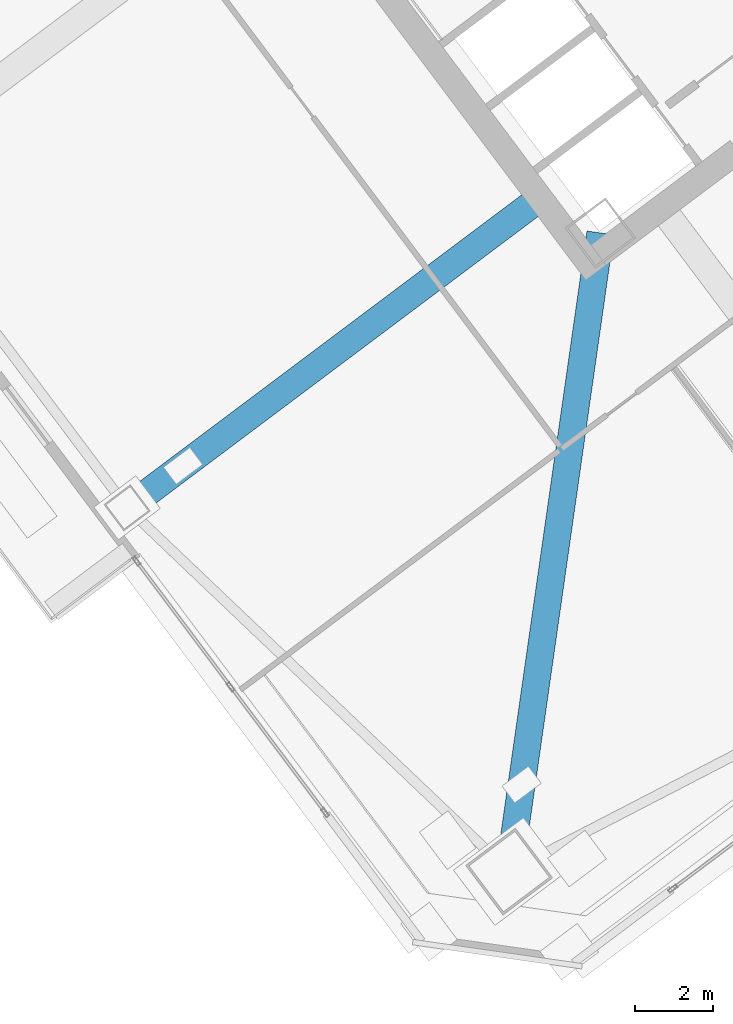
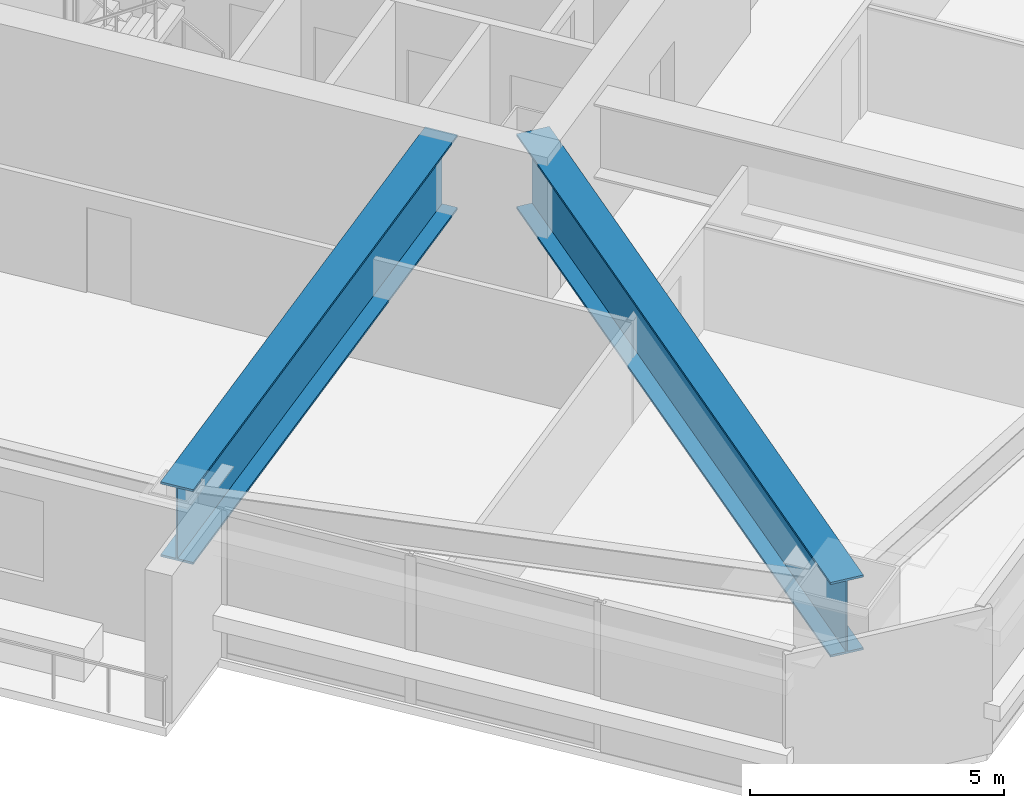
# One storey, part 22 of 48: 2 beams.
"""IFC4 building model written with IfcOpenShell, lengths in metres."""

from ifc_helpers import new_model, si_unit, direction, frame, origin, origin_2d, place, context, subcontext, project, spatial, i_section, extrude, material, material_profile, profile_set, type_object, element, save


model = new_model("IFC4")

# Units and contexts
model_context = context("Model", 3, precision=1e-05, world=origin(), true_north=direction((0.0, 1.0)))
body_context = subcontext(model_context, "Body", "Model", "MODEL_VIEW")
ifc_project = project(units=[si_unit("LENGTHUNIT", "METRE"), si_unit("AREAUNIT", "SQUARE_METRE"), si_unit("VOLUMEUNIT", "CUBIC_METRE"), si_unit("PLANEANGLEUNIT", "RADIAN"), si_unit("MASSUNIT", "GRAM", prefix="KILO")], contexts=[model_context])

# Site, building, storey
site_placement = place(None, origin())
site = spatial("IfcSite", under=ifc_project, at=site_placement, CompositionType="ELEMENT")
building_placement = place(site_placement, origin())
building = spatial("IfcBuilding", under=site, at=building_placement, Name="Tashvorn Skyway Center", CompositionType="ELEMENT")
storey_placement = place(building_placement, frame((0.0, 0.0, 63.64990234375)))
storey = spatial("IfcBuildingStorey", under=building, at=storey_placement, Name="L16", CompositionType="ELEMENT", Elevation=63.64990234375)

# Beams
ifc_material = material(Name="Steel ASTM A572 Grade 50", Category="steel")
ifc_material_profile = material_profile(ifc_material, i_section(OverallWidth=0.699951171875, OverallDepth=1.800048828125, WebThickness=0.031982421875, FlangeThickness=0.050048828125, at=origin_2d()), Name="PG1800x700")
ifc_profile_set = profile_set([ifc_material_profile], Name="Steel ASTM A572 Grade 50")
beam_type = type_object("IfcBeamType", Name="BM-BEAM-PG1800x700", PredefinedType="BEAM", material=ifc_profile_set)
beam_1_placement = place(storey_placement, frame((110.239990234375, 5.679931640625, 2.4501953125), z_axis=(0.141427526976, 0.989948612107, 0.0), x_axis=(-0.989948612107, 0.141427526976, 0.0)))
element("IfcBeam", 1, at=beam_1_placement, inside=storey, type_object=beam_type, Name="Tower 2 L16 Setback Transfer Girder MC-SW", PredefinedType="BEAM", context=body_context, shape_type="SweptSolid", body=[
    extrude(i_section(OverallWidth=0.699951171875, OverallDepth=1.800048828125, WebThickness=0.031982421875, FlangeThickness=0.050048828125, at=origin_2d()), origin(), (0.0, 0.0, 1.0), 16.616943359375),
])
beam_2_placement = place(storey_placement, frame((100.39990234375, 15.050048828125, 2.4501953125), z_axis=(0.800008830845, 0.599988225359, 0.0), x_axis=(-0.599988225359, 0.800008830845, 0.0)))
element("IfcBeam", 2, at=beam_2_placement, inside=storey, type_object=beam_type, Name="Tower 2 L16 Setback Transfer Girder FC-W2", PredefinedType="BEAM", context=body_context, shape_type="SweptSolid", body=[
    extrude(i_section(OverallWidth=0.699951171875, OverallDepth=1.800048828125, WebThickness=0.031982421875, FlangeThickness=0.050048828125, at=origin_2d()), origin(), (0.0, 0.0, 1.0), 13.27001953125),
])

save(model, "model.ifc")
